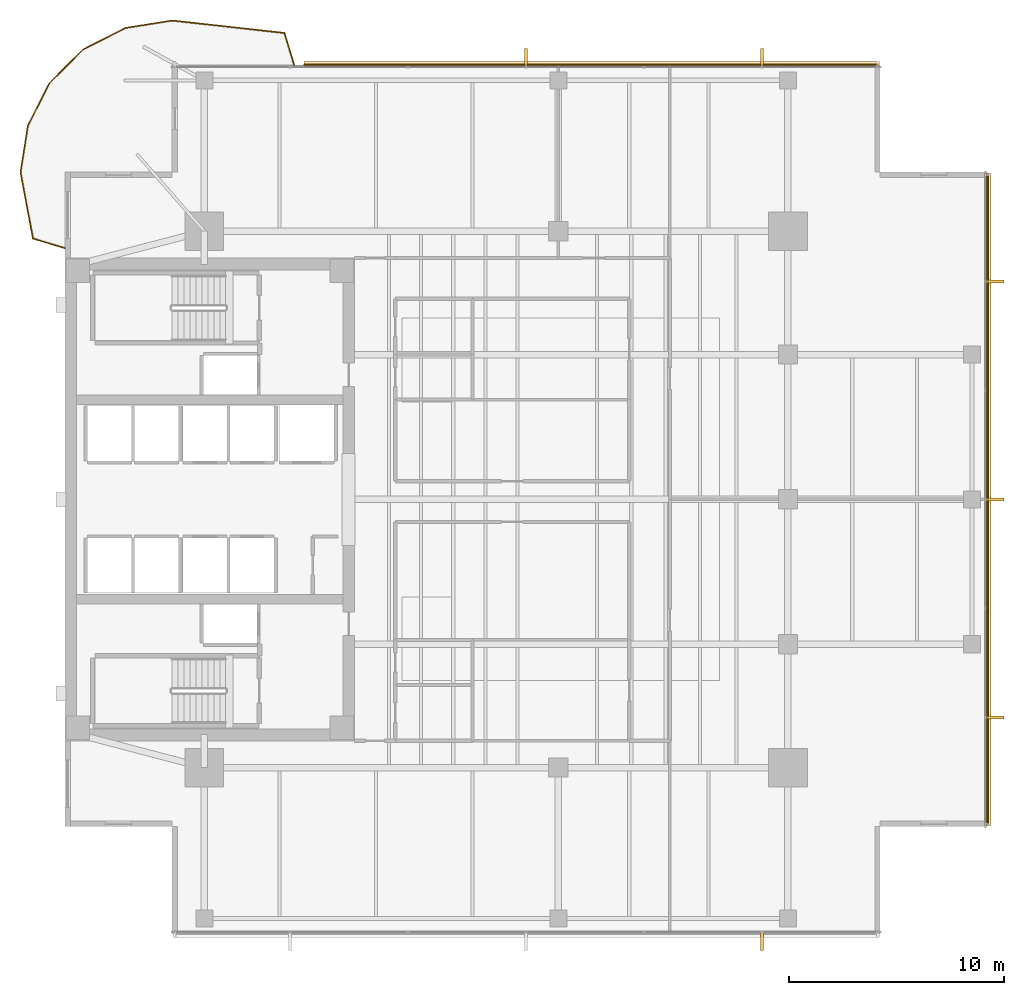
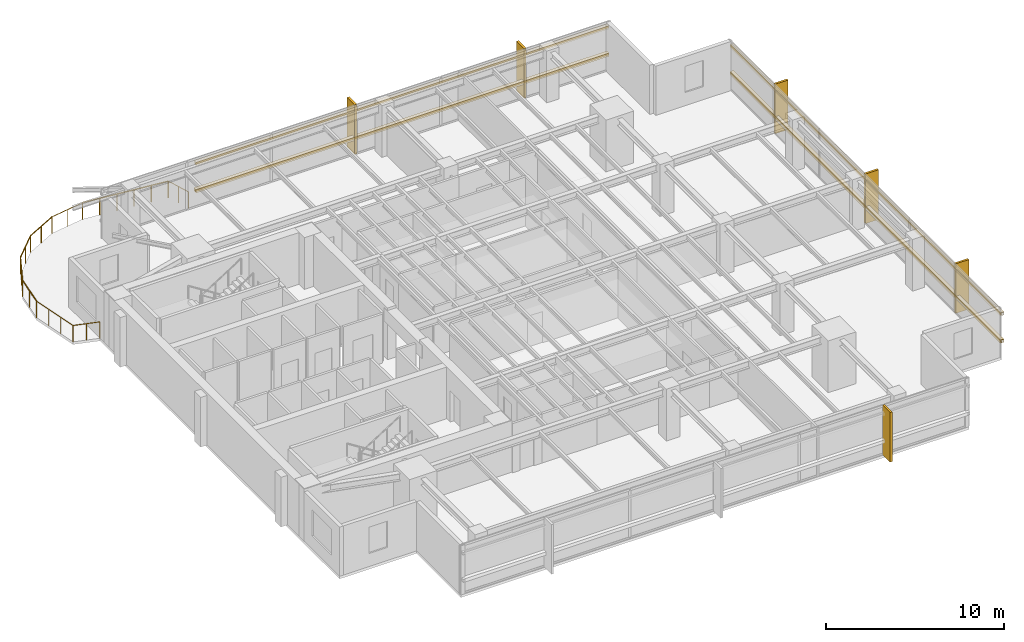
# One storey, part 14 of 14: 10 coverings, 9 railings, 4 shading devices.
"""IFC4 building model written with IfcOpenShell, lengths in metres."""

import ifcopenshell
import ifcopenshell.guid

model = None  # the IFC model being written
_history = None  # IfcOwnerHistory: only IFC2X3 demands one
_inside = {}  # id of a spatial element -> (the spatial element, [elements in it])
_under = {}  # id of a project, library or spatial element -> (it, [spatial elements below it])
_declared = {}  # id of a project -> (the project, [libraries it declares])
_typed = {}  # id of a type object -> (the type object, [elements of that type])
_made_of = {}  # id of a material, layer set ... -> (it, [elements and type objects made of it])


def new_model(schema):
    """Start an empty IFC model of exactly this schema.

    Asked for "IFC4X3", IfcOpenShell would pick the latest addendum, in which some entities
    have other attributes; the version numbers below select the first issue.
    IFC2X3 requires an IfcOwnerHistory on every rooted entity: one is made here for all.
    """
    global model, _history
    if schema == "IFC4X3":
        model = ifcopenshell.file(schema_version=(4, 3, 0, 0))
    else:
        model = ifcopenshell.file(schema=schema)
    _inside.clear()
    _under.clear()
    _declared.clear()
    _typed.clear()
    _made_of.clear()
    _history = None
    if model.schema == "IFC2X3":
        org = make("IfcOrganization", Name="unknown")
        user = make(
            "IfcPersonAndOrganization",
            ThePerson=make("IfcPerson", FamilyName="unknown"),
            TheOrganization=org,
        )
        app = make(
            "IfcApplication",
            ApplicationDeveloper=org,
            Version="unknown",
            ApplicationFullName="unknown",
            ApplicationIdentifier="unknown",
        )
        _history = make(
            "IfcOwnerHistory",
            OwningUser=user,
            OwningApplication=app,
            ChangeAction="ADDED",
            CreationDate=0,
        )
    return model


def make(cls, **values):
    """One entity of the class cls with the attributes given. An attribute that is None is left unset."""
    return model.create_entity(
        cls, **{name: value for name, value in values.items() if value is not None}
    )


def rooted(cls, **values):
    """An entity with a GlobalId (a new one), such as an element, a storey or a relation."""
    return make(cls, GlobalId=ifcopenshell.guid.new(), OwnerHistory=_history, **values)


def si_unit(unit_type, name, prefix=None):
    """IfcSIUnit, for example si_unit("LENGTHUNIT", "METRE", prefix="MILLI")."""
    return make("IfcSIUnit", UnitType=unit_type, Prefix=prefix, Name=name)


def assignment(units):
    """IfcUnitAssignment: the units of a project."""
    return None if units is None else make("IfcUnitAssignment", Units=units)


def point(xyz):
    """IfcCartesianPoint."""
    return None if xyz is None else make("IfcCartesianPoint", Coordinates=xyz)


def direction(xyz):
    """IfcDirection."""
    return None if xyz is None else make("IfcDirection", DirectionRatios=xyz)


def frame(location, z_axis=None, x_axis=None):
    """IfcAxis2Placement3D, a coordinate frame: its origin and axes. An axis left out is left unset."""
    return make(
        "IfcAxis2Placement3D",
        Location=point(location),
        Axis=direction(z_axis),
        RefDirection=direction(x_axis),
    )


def frame_2d(location, x_axis=None):
    """IfcAxis2Placement2D, a coordinate frame in the plane: its origin and x axis."""
    return make(
        "IfcAxis2Placement2D", Location=point(location), RefDirection=direction(x_axis)
    )


def origin():
    """The frame at (0, 0, 0) with its axes left unset."""
    return frame((0.0, 0.0, 0.0))


def origin_2d():
    """The frame at (0, 0) in the plane with its x axis left unset."""
    return frame_2d((0.0, 0.0))


def place(relative_to, where):
    """IfcLocalPlacement: puts the frame where relative to a parent placement (None: the world)."""
    return make(
        "IfcLocalPlacement", PlacementRelTo=relative_to, RelativePlacement=where
    )


def context(
    kind, dimensions, precision=None, world=None, true_north=None, identifier=None
):
    """IfcGeometricRepresentationContext, for example the 3D "Model" context."""
    return make(
        "IfcGeometricRepresentationContext",
        ContextIdentifier=identifier,
        ContextType=kind,
        CoordinateSpaceDimension=dimensions,
        Precision=precision,
        WorldCoordinateSystem=world,
        TrueNorth=true_north,
    )


def subcontext(parent, identifier, kind, view, scale=None):
    """IfcGeometricRepresentationSubContext, for example "Body" below "Model"."""
    return make(
        "IfcGeometricRepresentationSubContext",
        ContextIdentifier=identifier,
        ContextType=kind,
        ParentContext=parent,
        TargetScale=scale,
        TargetView=view,
    )


def project(units=None, contexts=None):
    """IfcProject with its units and contexts."""
    return rooted(
        "IfcProject",
        Name="project",
        RepresentationContexts=contexts,
        UnitsInContext=assignment(units),
    )


def spatial(cls, under=None, at=None, **own):
    """A site, building, storey or space (cls), placed at a placement, below another one or the project."""
    s = rooted(cls, ObjectPlacement=at, **own)
    if under is not None:
        _under.setdefault(under.id(), (under, []))[1].append(s)
    return s


def polyline(points):
    """IfcPolyline through the points."""
    return make("IfcPolyline", Points=[point(p) for p in points])


def profile(cls, at=None, kind="AREA", **sizes):
    """A parametric profile (cls). Its sizes go by their IFC names, for example OverallWidth=200.0."""
    return make(cls, ProfileType=kind, Position=at, **sizes)


def rectangle(**sizes):
    """IfcRectangleProfileDef."""
    return profile("IfcRectangleProfileDef", **sizes)


def circle(**sizes):
    """IfcCircleProfileDef."""
    return profile("IfcCircleProfileDef", **sizes)


def outline(outer, holes=None, kind="AREA"):
    """IfcArbitraryClosedProfileDef: a profile drawn as a closed curve; with holes, ...WithVoids."""
    if holes is None:
        return make("IfcArbitraryClosedProfileDef", ProfileType=kind, OuterCurve=outer)
    return make(
        "IfcArbitraryProfileDefWithVoids",
        ProfileType=kind,
        OuterCurve=outer,
        InnerCurves=holes,
    )


def extrude(swept, where, along, depth):
    """IfcExtrudedAreaSolid: the profile swept, set in the frame where, extruded along a direction by depth."""
    return make(
        "IfcExtrudedAreaSolid",
        SweptArea=swept,
        Position=where,
        ExtrudedDirection=direction(along),
        Depth=depth,
    )


def shape(context_of_items, identifier, shape_type, items):
    """IfcShapeRepresentation: the items that make up one representation, for example the "Body"."""
    return make(
        "IfcShapeRepresentation",
        ContextOfItems=context_of_items,
        RepresentationIdentifier=identifier,
        RepresentationType=shape_type,
        Items=items,
    )


def material(Name=None, Category=None):
    """IfcMaterial."""
    return make("IfcMaterial", Name=Name, Category=Category)


def layer(
    of_material, thickness, ventilated=None, Name=None, Category=None, Priority=None
):
    """IfcMaterialLayer: one layer of a wall or slab, of a material (None: an air gap)."""
    return make(
        "IfcMaterialLayer",
        Material=of_material,
        LayerThickness=thickness,
        IsVentilated=ventilated,
        Name=Name,
        Category=Category,
        Priority=Priority,
    )


def layer_set(layers, Name=None):
    """IfcMaterialLayerSet."""
    return make("IfcMaterialLayerSet", MaterialLayers=layers, LayerSetName=Name)


def material_profile(
    of_material, cross_section, Name=None, Category=None, Priority=None
):
    """IfcMaterialProfile: a cross section and its material."""
    return make(
        "IfcMaterialProfile",
        Name=Name,
        Material=of_material,
        Profile=cross_section,
        Priority=Priority,
        Category=Category,
    )


def profile_set(profiles, Name=None, composite=None):
    """IfcMaterialProfileSet."""
    return make(
        "IfcMaterialProfileSet",
        Name=Name,
        MaterialProfiles=profiles,
        CompositeProfile=composite,
    )


def made_of(thing, what):
    """Note that an element or type object is made of a material, layer set ...; save() writes the relation."""
    if what is not None:
        _made_of.setdefault(what.id(), (what, []))[1].append(thing)
    return thing


def type_object(cls, material=None, **own):
    """A type object (cls), such as IfcWallType, which elements share."""
    return made_of(rooted(cls, **own), material)


def element(
    cls,
    number,
    at=None,
    inside=None,
    cuts=None,
    type_object=None,
    material=None,
    context=None,
    identifier="Body",
    shape_type=None,
    held_by="IfcProductDefinitionShape",
    body=None,
    shapes=None,
    **own,
):
    """One element of the class cls, such as IfcWall. Its Tag is "e" and its number.

    at: its placement. inside: the storey or other place that contains it. cuts: it is an
    opening in that element (IfcRelVoidsElement). A single representation is given by context,
    identifier, shape_type and body (its items); several are given by shapes. held_by: the class
    of the entity that holds the representations. save() writes the other relations.
    """
    e = rooted(cls, Tag="e%d" % number, ObjectPlacement=at, **own)
    if body is not None:
        shapes = [shape(context, identifier, shape_type, body)]
    if shapes is not None:
        e.Representation = make(held_by, Representations=shapes)
    if inside is not None:
        _inside.setdefault(inside.id(), (inside, []))[1].append(e)
    if cuts is not None:
        rooted(
            "IfcRelVoidsElement", RelatingBuildingElement=cuts, RelatedOpeningElement=e
        )
    if type_object is not None:
        _typed.setdefault(type_object.id(), (type_object, []))[1].append(e)
    return made_of(e, material)


def aggregate(whole, parts):
    """IfcRelAggregates: a whole, such as a stair, and the parts it consists of."""
    return rooted("IfcRelAggregates", RelatingObject=whole, RelatedObjects=parts)


def save(model, path):
    """Write the relations noted so far, then the file.

    IfcRelAggregates (storeys below a building ...), IfcRelContainedInSpatialStructure (elements
    in a storey), IfcRelDefinesByType, IfcRelAssociatesMaterial and IfcRelDeclares: one each for
    every whole, place, type object, material and project.
    """
    for whole, parts in _under.values():
        aggregate(whole, parts)
    for where, things in _inside.values():
        rooted(
            "IfcRelContainedInSpatialStructure",
            RelatedElements=things,
            RelatingStructure=where,
        )
    for kind, things in _typed.values():
        rooted("IfcRelDefinesByType", RelatedObjects=things, RelatingType=kind)
    for what, things in _made_of.values():
        rooted("IfcRelAssociatesMaterial", RelatedObjects=things, RelatingMaterial=what)
    for by, libraries in _declared.values():
        rooted("IfcRelDeclares", RelatingContext=by, RelatedDefinitions=libraries)
    model.write(path)


model = new_model("IFC4")

# Units and contexts
model_context = context("Model", 3, precision=1e-05, world=origin(), true_north=direction((0.0, 1.0)))
body_context = subcontext(model_context, "Body", "Model", "MODEL_VIEW")
ifc_project = project(units=[si_unit("LENGTHUNIT", "METRE"), si_unit("AREAUNIT", "SQUARE_METRE"), si_unit("VOLUMEUNIT", "CUBIC_METRE"), si_unit("PLANEANGLEUNIT", "RADIAN"), si_unit("MASSUNIT", "GRAM", prefix="KILO")], contexts=[model_context])

# Site, building, storey
site_placement = place(None, origin())
site = spatial("IfcSite", under=ifc_project, at=site_placement, CompositionType="ELEMENT")
building_placement = place(site_placement, origin())
building = spatial("IfcBuilding", under=site, at=building_placement, Name="Kinhvarn Gate Tower", CompositionType="ELEMENT")
storey_placement = place(building_placement, frame((0.0, 0.0, 188.050048828125)))
storey = spatial("IfcBuildingStorey", under=building, at=storey_placement, Name="L49", CompositionType="ELEMENT", Elevation=188.050048828125)

# Coverings
ifc_material_1 = material(Name="Fired architectural terracotta", Category="masonry")
ifc_layer_1 = layer(ifc_material_1, 0.239990234375)
ifc_layer_set_1 = layer_set([ifc_layer_1], Name="Fired architectural terracotta")
covering_type_1 = type_object("IfcCoveringType", Name="COV-BAG-220", PredefinedType="CLADDING", material=ifc_layer_set_1)
for number, where, name in (
    (1, (0.0, 0.0, 0.93994140625), "Terracotta Horizontal Sunscreen Band TBG-220 (L49)"),
    (2, (0.0, 0.0, 2.81005859375), "Terracotta Horizontal Sunscreen Band TBG-220 (L49)"),
):
    element("IfcCovering", number, at=place(storey_placement, frame(where)), inside=storey, type_object=covering_type_1, Name=name, PredefinedType="CLADDING", context=body_context, shape_type="SweptSolid", body=[
        extrude(outline(polyline([(42.4599609375, 45.429931640625), (15.635009765625, 45.429931640625), (15.635009765625, 45.669921875), (42.4599609375, 45.669921875), (42.4599609375, 45.429931640625)])), origin(), (0.0, 0.0, 1.0), 0.219970703125),
    ])
for number, where, name in (
    (3, (0.0, 0.0, 0.93994140625), "Terracotta Horizontal Sunscreen Band TBG-220 (L49)"),
    (4, (0.0, 0.0, 2.81005859375), "Terracotta Horizontal Sunscreen Band TBG-220 (L49)"),
):
    element("IfcCovering", number, at=place(storey_placement, frame(where)), inside=storey, type_object=covering_type_1, Name=name, PredefinedType="CLADDING", context=body_context, shape_type="SweptSolid", body=[
        extrude(outline(polyline([(47.429931640625, 10.0400390625), (47.429931640625, 40.4599609375), (47.669921875, 40.4599609375), (47.669921875, 10.0400390625), (47.429931640625, 10.0400390625)])), origin(), (0.0, 0.0, 1.0), 0.219970703125),
    ])
ifc_layer_2 = layer(ifc_material_1, 0.139892578125)
ifc_layer_set_2 = layer_set([ifc_layer_2], Name="Fired architectural terracotta")
covering_type_2 = type_object("IfcCoveringType", Name="COV-FIN-850", PredefinedType="CLADDING", material=ifc_layer_set_2)
covering_1_placement = place(storey_placement, frame((0.0, 0.0, -0.02001953125)))
element("IfcCovering", 5, at=covering_1_placement, inside=storey, type_object=covering_type_2, Name="Vertical Terracotta Expressive Fin TFN-850 (L49)", PredefinedType="CLADDING", context=body_context, shape_type="SweptSolid", body=[
    extrude(outline(polyline([(36.929931640625, 5.080078125), (37.070068359375, 5.080078125), (37.070068359375, 4.22998046875), (36.929931640625, 4.22998046875), (36.929931640625, 5.080078125)])), origin(), (0.0, 0.0, 1.0), 3.409912109375),
])
covering_2_placement = place(storey_placement, frame((0.0, 0.0, -0.02001953125)))
element("IfcCovering", 6, at=covering_2_placement, inside=storey, type_object=covering_type_2, Name="Vertical Terracotta Expressive Fin TFN-850 (L49)", PredefinedType="CLADDING", context=body_context, shape_type="SweptSolid", body=[
    extrude(outline(polyline([(37.070068359375, 45.419921875), (36.929931640625, 45.419921875), (36.929931640625, 46.27001953125), (37.070068359375, 46.27001953125), (37.070068359375, 45.419921875)])), origin(), (0.0, 0.0, 1.0), 3.409912109375),
])
covering_3_placement = place(storey_placement, frame((0.0, 0.0, -0.02001953125)))
element("IfcCovering", 7, at=covering_3_placement, inside=storey, type_object=covering_type_2, Name="Vertical Terracotta Expressive Fin TFN-850 (L49)", PredefinedType="CLADDING", context=body_context, shape_type="SweptSolid", body=[
    extrude(outline(polyline([(26.070068359375, 45.419921875), (25.929931640625, 45.419921875), (25.929931640625, 46.27001953125), (26.070068359375, 46.27001953125), (26.070068359375, 45.419921875)])), origin(), (0.0, 0.0, 1.0), 3.409912109375),
])
covering_4_placement = place(storey_placement, frame((0.0, 0.0, -0.02001953125)))
element("IfcCovering", 8, at=covering_4_placement, inside=storey, type_object=covering_type_2, Name="Vertical Terracotta Expressive Fin TFN-850 (L49)", PredefinedType="CLADDING", context=body_context, shape_type="SweptSolid", body=[
    extrude(outline(polyline([(47.419921875, 15.01318359375), (47.419921875, 15.1533203125), (48.27001953125, 15.1533203125), (48.27001953125, 15.01318359375), (47.419921875, 15.01318359375)])), origin(), (0.0, 0.0, 1.0), 3.409912109375),
])
covering_5_placement = place(storey_placement, frame((0.0, 0.0, -0.02001953125)))
element("IfcCovering", 9, at=covering_5_placement, inside=storey, type_object=covering_type_2, Name="Vertical Terracotta Expressive Fin TFN-850 (L49)", PredefinedType="CLADDING", context=body_context, shape_type="SweptSolid", body=[
    extrude(outline(polyline([(47.419921875, 25.179931640625), (47.419921875, 25.320068359375), (48.27001953125, 25.320068359375), (48.27001953125, 25.179931640625), (47.419921875, 25.179931640625)])), origin(), (0.0, 0.0, 1.0), 3.409912109375),
])
covering_6_placement = place(storey_placement, frame((0.0, 0.0, -0.02001953125)))
element("IfcCovering", 10, at=covering_6_placement, inside=storey, type_object=covering_type_2, Name="Vertical Terracotta Expressive Fin TFN-850 (L49)", PredefinedType="CLADDING", context=body_context, shape_type="SweptSolid", body=[
    extrude(outline(polyline([(47.419921875, 35.3466796875), (47.419921875, 35.48681640625), (48.27001953125, 35.48681640625), (48.27001953125, 35.3466796875), (47.419921875, 35.3466796875)])), origin(), (0.0, 0.0, 1.0), 3.409912109375),
])

# Railings
ifc_material_2 = material(Name="Clear low-e double glazing", Category="glass")
railing_type = type_object("IfcRailingType", Name="RL-BAL-1150", PredefinedType="BALUSTRADE", material=ifc_material_2)
railing_1_placement = place(storey_placement, frame((15.18505859375, 45.5, 0.0)))
element("IfcRailing", 11, at=railing_1_placement, inside=storey, type_object=railing_type, Name="S-Carve Balcony Guardrail Seg 1 (L49)", PredefinedType="BALUSTRADE", context=body_context, shape_type="SweptSolid", body=[
    extrude(circle(Radius=0.02392578125, at=origin_2d()), frame((0.0, 0.0, 1.1259765625), z_axis=(-0.289001880365, 0.95732852937, 0.0), x_axis=(-0.95732852937, -0.289001880365, 0.0)), (0.0, 0.0, 1.0), 1.556884765625),
    extrude(circle(Radius=0.02099609375, at=origin_2d()), origin(), (0.0, 0.0, 1.0), 1.101806640625),
    extrude(circle(Radius=0.02099609375, at=origin_2d()), frame((-0.22509765625, 0.7451171875, 0.0)), (0.0, 0.0, 1.0), 1.101806640625),
    extrude(circle(Radius=0.02099609375, at=origin_2d()), frame((-0.449951171875, 1.490478515625, 0.0)), (0.0, 0.0, 1.0), 1.101806640625),
])
railing_2_placement = place(storey_placement, frame((14.735107421875, 46.990478515625, 0.0)))
element("IfcRailing", 12, at=railing_2_placement, inside=storey, type_object=railing_type, Name="S-Carve Balcony Guardrail Seg 2 (L49)", PredefinedType="BALUSTRADE", context=body_context, shape_type="SweptSolid", body=[
    extrude(circle(Radius=0.02392578125, at=origin_2d()), frame((0.0, 0.0, 1.1259765625), z_axis=(-0.993927183188, 0.110039786079, 0.0), x_axis=(-0.110039786079, -0.993927183188, 0.0)), (0.0, 0.0, 1.0), 5.26708984375),
    extrude(circle(Radius=0.02099609375, at=origin_2d()), origin(), (0.0, 0.0, 1.0), 1.101806640625),
    extrude(circle(Radius=0.02099609375, at=origin_2d()), frame((-1.047119140625, 0.115966796875, 0.0)), (0.0, 0.0, 1.0), 1.101806640625),
    extrude(circle(Radius=0.02099609375, at=origin_2d()), frame((-2.093994140625, 0.23193359375, 0.0)), (0.0, 0.0, 1.0), 1.101806640625),
    extrude(circle(Radius=0.02099609375, at=origin_2d()), frame((-3.14111328125, 0.34765625, 0.0)), (0.0, 0.0, 1.0), 1.101806640625),
    extrude(circle(Radius=0.02099609375, at=origin_2d()), frame((-4.18798828125, 0.463623046875, 0.0)), (0.0, 0.0, 1.0), 1.101806640625),
    extrude(circle(Radius=0.02099609375, at=origin_2d()), frame((-5.235107421875, 0.57958984375, 0.0)), (0.0, 0.0, 1.0), 1.101806640625),
])
railing_3_placement = place(storey_placement, frame((9.5, 47.570068359375, 0.0)))
element("IfcRailing", 13, at=railing_3_placement, inside=storey, type_object=railing_type, Name="S-Carve Balcony Guardrail Seg 3 (L49)", PredefinedType="BALUSTRADE", context=body_context, shape_type="SweptSolid", body=[
    extrude(circle(Radius=0.02392578125, at=origin_2d()), frame((0.0, 0.0, 1.1259765625), z_axis=(-0.98769486006, -0.156393297207, 0.0), x_axis=(0.156393297207, -0.98769486006, 0.0)), (0.0, 0.0, 1.0), 2.2119140625),
    extrude(circle(Radius=0.02099609375, at=origin_2d()), origin(), (0.0, 0.0, 1.0), 1.101806640625),
    extrude(circle(Radius=0.02099609375, at=origin_2d()), frame((-1.09228515625, -0.1728515625, 0.0)), (0.0, 0.0, 1.0), 1.101806640625),
    extrude(circle(Radius=0.02099609375, at=origin_2d()), frame((-2.184814453125, -0.345947265625, 0.0)), (0.0, 0.0, 1.0), 1.101806640625),
])
railing_4_placement = place(storey_placement, frame((7.315185546875, 47.22412109375, 0.0)))
element("IfcRailing", 14, at=railing_4_placement, inside=storey, type_object=railing_type, Name="S-Carve Balcony Guardrail Seg 4 (L49)", PredefinedType="BALUSTRADE", context=body_context, shape_type="SweptSolid", body=[
    extrude(circle(Radius=0.02392578125, at=origin_2d()), frame((0.0, 0.0, 1.1259765625), z_axis=(-0.890956933933, -0.454087812958, 0.0), x_axis=(0.454087812958, -0.890956933933, 0.0)), (0.0, 0.0, 1.0), 2.2119140625),
    extrude(circle(Radius=0.02099609375, at=origin_2d()), origin(), (0.0, 0.0, 1.0), 1.101806640625),
    extrude(circle(Radius=0.02099609375, at=origin_2d()), frame((-0.9853515625, -0.502197265625, 0.0)), (0.0, 0.0, 1.0), 1.101806640625),
    extrude(circle(Radius=0.02099609375, at=origin_2d()), frame((-1.970703125, -1.00439453125, 0.0)), (0.0, 0.0, 1.0), 1.101806640625),
])
railing_5_placement = place(storey_placement, frame((5.344482421875, 46.2197265625, 0.0)))
element("IfcRailing", 15, at=railing_5_placement, inside=storey, type_object=railing_type, Name="S-Carve Balcony Guardrail Seg 5 (L49)", PredefinedType="BALUSTRADE", context=body_context, shape_type="SweptSolid", body=[
    extrude(circle(Radius=0.02392578125, at=origin_2d()), frame((0.0, 0.0, 1.1259765625), z_axis=(-0.707106781187, -0.707106781187, 0.0), x_axis=(0.707106781187, -0.707106781187, 0.0)), (0.0, 0.0, 1.0), 2.212158203125),
    extrude(circle(Radius=0.02099609375, at=origin_2d()), origin(), (0.0, 0.0, 1.0), 1.101806640625),
    extrude(circle(Radius=0.02099609375, at=origin_2d()), frame((-0.7822265625, -0.7822265625, 0.0)), (0.0, 0.0, 1.0), 1.101806640625),
    extrude(circle(Radius=0.02099609375, at=origin_2d()), frame((-1.564208984375, -1.564208984375, 0.0)), (0.0, 0.0, 1.0), 1.101806640625),
])
railing_6_placement = place(storey_placement, frame((3.7802734375, 44.655517578125, 0.0)))
element("IfcRailing", 16, at=railing_6_placement, inside=storey, type_object=railing_type, Name="S-Carve Balcony Guardrail Seg 6 (L49)", PredefinedType="BALUSTRADE", context=body_context, shape_type="SweptSolid", body=[
    extrude(circle(Radius=0.02392578125, at=origin_2d()), frame((0.0, 0.0, 1.1259765625), z_axis=(-0.454087812958, -0.890956933933, 0.0), x_axis=(0.890956933933, -0.454087812958, 0.0)), (0.0, 0.0, 1.0), 2.2119140625),
    extrude(circle(Radius=0.02099609375, at=origin_2d()), origin(), (0.0, 0.0, 1.0), 1.101806640625),
    extrude(circle(Radius=0.02099609375, at=origin_2d()), frame((-0.502197265625, -0.9853515625, 0.0)), (0.0, 0.0, 1.0), 1.101806640625),
    extrude(circle(Radius=0.02099609375, at=origin_2d()), frame((-1.00439453125, -1.970703125, 0.0)), (0.0, 0.0, 1.0), 1.101806640625),
])
railing_7_placement = place(storey_placement, frame((2.77587890625, 42.684814453125, 0.0)))
element("IfcRailing", 17, at=railing_7_placement, inside=storey, type_object=railing_type, Name="S-Carve Balcony Guardrail Seg 7 (L49)", PredefinedType="BALUSTRADE", context=body_context, shape_type="SweptSolid", body=[
    extrude(circle(Radius=0.02392578125, at=origin_2d()), frame((0.0, 0.0, 1.1259765625), z_axis=(-0.156393297207, -0.98769486006, 0.0), x_axis=(0.98769486006, -0.156393297207, 0.0)), (0.0, 0.0, 1.0), 2.2119140625),
    extrude(circle(Radius=0.02099609375, at=origin_2d()), origin(), (0.0, 0.0, 1.0), 1.101806640625),
    extrude(circle(Radius=0.02099609375, at=origin_2d()), frame((-0.1728515625, -1.09228515625, 0.0)), (0.0, 0.0, 1.0), 1.101806640625),
    extrude(circle(Radius=0.02099609375, at=origin_2d()), frame((-0.345947265625, -2.184814453125, 0.0)), (0.0, 0.0, 1.0), 1.101806640625),
])
railing_8_placement = place(storey_placement, frame((2.429931640625, 40.5, 0.0)))
element("IfcRailing", 18, at=railing_8_placement, inside=storey, type_object=railing_type, Name="S-Carve Balcony Guardrail Seg 8 (L49)", PredefinedType="BALUSTRADE", context=body_context, shape_type="SweptSolid", body=[
    extrude(circle(Radius=0.02392578125, at=origin_2d()), frame((0.0, 0.0, 1.1259765625), z_axis=(0.184236992601, -0.982881849745, 0.0), x_axis=(0.982881849745, 0.184236992601, 0.0)), (0.0, 0.0, 1.0), 3.14599609375),
    extrude(circle(Radius=0.02099609375, at=origin_2d()), origin(), (0.0, 0.0, 1.0), 1.101806640625),
    extrude(circle(Radius=0.02099609375, at=origin_2d()), frame((0.193115234375, -1.03076171875, 0.0)), (0.0, 0.0, 1.0), 1.101806640625),
    extrude(circle(Radius=0.02099609375, at=origin_2d()), frame((0.386474609375, -2.061279296875, 0.0)), (0.0, 0.0, 1.0), 1.101806640625),
    extrude(circle(Radius=0.02099609375, at=origin_2d()), frame((0.57958984375, -3.092041015625, 0.0)), (0.0, 0.0, 1.0), 1.101806640625),
])
railing_9_placement = place(storey_placement, frame((3.009521484375, 37.407958984375, 0.0)))
element("IfcRailing", 19, at=railing_9_placement, inside=storey, type_object=railing_type, Name="S-Carve Balcony Guardrail Seg 9 (L49)", PredefinedType="BALUSTRADE", context=body_context, shape_type="SweptSolid", body=[
    extrude(circle(Radius=0.02392578125, at=origin_2d()), frame((0.0, 0.0, 1.1259765625), z_axis=(0.95732852937, -0.289001880365, 0.0), x_axis=(0.289001880365, 0.95732852937, 0.0)), (0.0, 0.0, 1.0), 1.556884765625),
    extrude(circle(Radius=0.02099609375, at=origin_2d()), origin(), (0.0, 0.0, 1.0), 1.101806640625),
    extrude(circle(Radius=0.02099609375, at=origin_2d()), frame((0.7451171875, -0.22509765625, 0.0)), (0.0, 0.0, 1.0), 1.101806640625),
    extrude(circle(Radius=0.02099609375, at=origin_2d()), frame((1.490478515625, -0.449951171875, 0.0)), (0.0, 0.0, 1.0), 1.101806640625),
])

# Shading devices
ifc_material_profile = material_profile(ifc_material_1, rectangle(XDim=0.050048828125, YDim=0.1201171875, at=origin_2d()), Name="TC 50x120")
ifc_profile_set = profile_set([ifc_material_profile], Name="Fired architectural terracotta")
shading_device_type = type_object("IfcShadingDeviceType", Name="SHD-BAG-140", PredefinedType="USERDEFINED", material=ifc_profile_set)
for number, where, z_axis, x_axis, name in (
    (20, (42.4599609375, 45.5, 1.050048828125), (-1.0, 0.0, 0.0), (0.0, -1.0, 0.0), "Upper Tower Terracotta Baguette Screen Rod 50x120 mm (L49)"),
    (21, (42.4599609375, 45.5, 2.919921875), (-1.0, 0.0, 0.0), (0.0, -1.0, 0.0), "Upper Tower Terracotta Baguette Screen Rod 50x120 mm (L49)"),
):
    element("IfcShadingDevice", number, at=place(storey_placement, frame(where, z_axis=z_axis, x_axis=x_axis)), inside=storey, type_object=shading_device_type, Name=name, ObjectType="BAGUETTE", PredefinedType="USERDEFINED", context=body_context, shape_type="SweptSolid", body=[
        extrude(rectangle(XDim=0.050048828125, YDim=0.1201171875, at=origin_2d()), origin(), (0.0, 0.0, 1.0), 26.824951171875),
    ])
for number, where, z_axis, x_axis, name in (
    (22, (47.5, 10.0400390625, 1.050048828125), (0.0, 1.0, 0.0), (-1.0, 0.0, 0.0), "Upper Tower Terracotta Baguette Screen Rod 50x120 mm (L49)"),
    (23, (47.5, 10.0400390625, 2.919921875), (0.0, 1.0, 0.0), (-1.0, 0.0, 0.0), "Upper Tower Terracotta Baguette Screen Rod 50x120 mm (L49)"),
):
    element("IfcShadingDevice", number, at=place(storey_placement, frame(where, z_axis=z_axis, x_axis=x_axis)), inside=storey, type_object=shading_device_type, Name=name, ObjectType="BAGUETTE", PredefinedType="USERDEFINED", context=body_context, shape_type="SweptSolid", body=[
        extrude(rectangle(XDim=0.050048828125, YDim=0.1201171875, at=origin_2d()), origin(), (0.0, 0.0, 1.0), 30.419921875),
    ])

save(model, "model.ifc")
